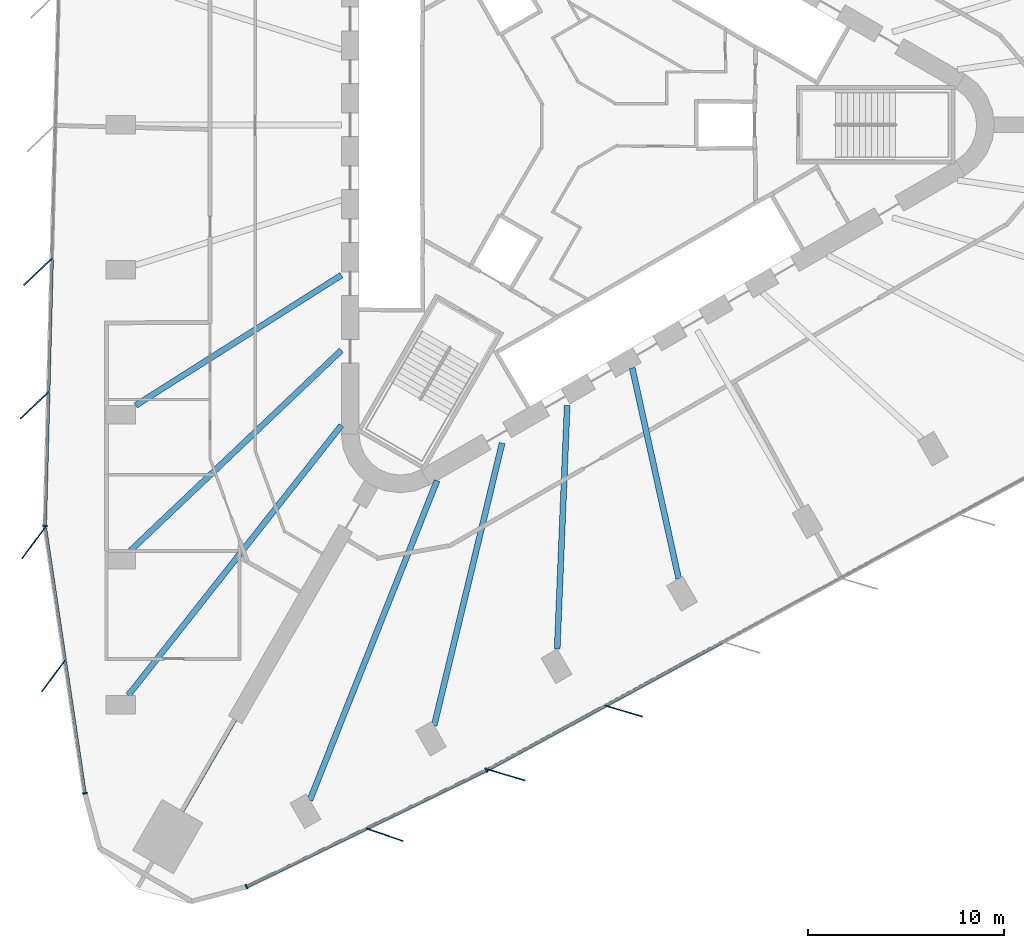
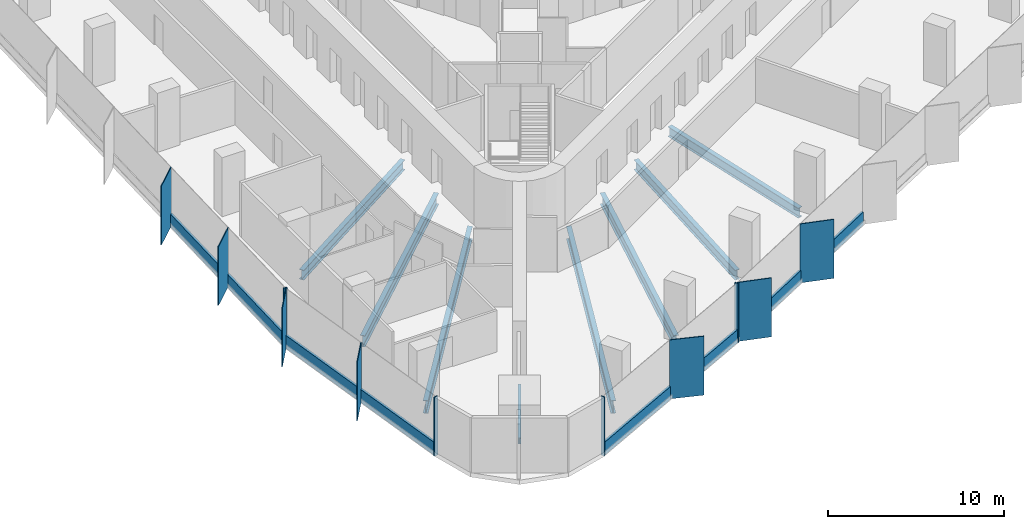
# One storey, part 2 of 13: 19 members, 8 beams, 4 elements without a shape of their own.
"""IFC4 building model written with IfcOpenShell, lengths in metres."""

from ifc_helpers import new_model, si_unit, direction, frame, origin, origin_2d, place, context, subcontext, project, spatial, rectangle, i_section, extrude, material, material_profile, profile_set, type_object, element, aggregate, save


model = new_model("IFC4")

# Units and contexts
model_context = context("Model", 3, precision=1e-05, world=origin(), true_north=direction((0.0, 1.0)))
body_context = subcontext(model_context, "Body", "Model", "MODEL_VIEW")
ifc_project = project(units=[si_unit("LENGTHUNIT", "METRE"), si_unit("AREAUNIT", "SQUARE_METRE"), si_unit("VOLUMEUNIT", "CUBIC_METRE"), si_unit("PLANEANGLEUNIT", "RADIAN"), si_unit("MASSUNIT", "GRAM", prefix="KILO")], contexts=[model_context])

# Site, building, storey
site_placement = place(None, origin())
site = spatial("IfcSite", under=ifc_project, at=site_placement, CompositionType="ELEMENT")
building_placement = place(site_placement, origin())
building = spatial("IfcBuilding", under=site, at=building_placement, Name="Tanit Gate Tower", CompositionType="ELEMENT")
storey_placement = place(building_placement, frame((0.0, 0.0, 61.89990234375)))
storey = spatial("IfcBuildingStorey", under=building, at=storey_placement, Name="L11", CompositionType="ELEMENT", Elevation=61.89990234375)

# Curtain wall, members
ifc_material_1 = material(Name="Aluminium bronze anodised and glass", Category="aluminium")
curtain_wall_type = type_object("IfcCurtainWallType", Name="Curtain wall typical low", PredefinedType="NOTDEFINED", material=ifc_material_1)
curtain_wall_1_placement = place(storey_placement, origin())
curtain_wall_1 = element("IfcCurtainWall", 1, at=curtain_wall_1_placement, inside=storey, type_object=curtain_wall_type, Name="Curtain wall L11 W2", PredefinedType="NOTDEFINED")
ifc_material_2 = material(Name="Aluminium bronze anodised", Category="aluminium")
ifc_material_profile_1 = material_profile(ifc_material_2, rectangle(XDim=2.0, YDim=0.055908203125, at=origin_2d()), Name="56x2000 bronze fin mullion")
ifc_profile_set_1 = profile_set([ifc_material_profile_1], Name="Aluminium bronze anodised")
member_type_1 = type_object("IfcMemberType", Name="FIN MULLION 56x2000 bronze", PredefinedType="MULLION", material=ifc_profile_set_1)
member_1_placement = place(storey_placement, frame((-27.569580078125, -7.487548828125, -0.2998046875), z_axis=(0.0, 0.0, 1.0), x_axis=(0.725200158595, 0.688538110764, 0.0)))
member_1 = element("IfcMember", 2, at=member_1_placement, type_object=member_type_1, Name="Fin mullion L11 W2.5", PredefinedType="MULLION", context=body_context, shape_type="SweptSolid", body=[
    extrude(rectangle(XDim=2.0, YDim=0.055908203125, at=origin_2d()), origin(), (0.0, 0.0, 1.0), 4.099853515625),
])
member_2_placement = place(storey_placement, frame((-27.746337890625, -14.302978515625, -0.2998046875), z_axis=(0.0, 0.0, 1.0), x_axis=(0.725200158595, 0.688538110764, 0.0)))
member_2 = element("IfcMember", 3, at=member_2_placement, type_object=member_type_1, Name="Fin mullion L11 W2.6", PredefinedType="MULLION", context=body_context, shape_type="SweptSolid", body=[
    extrude(rectangle(XDim=2.0, YDim=0.055908203125, at=origin_2d()), origin(), (0.0, 0.0, 1.0), 4.099853515625),
])

curtain_wall_2_placement = place(storey_placement, origin())
curtain_wall_2 = element("IfcCurtainWall", 4, at=curtain_wall_2_placement, inside=storey, type_object=curtain_wall_type, Name="Curtain wall L11 W3", PredefinedType="NOTDEFINED")
member_3_placement = place(storey_placement, frame((-27.790771484375, -21.310546875, -0.2998046875), z_axis=(0.0, 0.0, 1.0), x_axis=(0.594863059212, 0.803827059003, 0.0)))
member_3 = element("IfcMember", 5, at=member_3_placement, type_object=member_type_1, Name="Fin mullion L11 W3.1", PredefinedType="MULLION", context=body_context, shape_type="SweptSolid", body=[
    extrude(rectangle(XDim=2.0, YDim=0.055908203125, at=origin_2d()), origin(), (0.0, 0.0, 1.0), 4.099853515625),
])
member_4_placement = place(storey_placement, frame((-26.777587890625, -28.09326171875, -0.2998046875), z_axis=(0.0, 0.0, 1.0), x_axis=(0.594863059212, 0.803827059003, 0.0)))
member_4 = element("IfcMember", 6, at=member_4_placement, type_object=member_type_1, Name="Fin mullion L11 W3.2", PredefinedType="MULLION", context=body_context, shape_type="SweptSolid", body=[
    extrude(rectangle(XDim=2.0, YDim=0.055908203125, at=origin_2d()), origin(), (0.0, 0.0, 1.0), 4.099853515625),
])

# Curtain wall, member
curtain_wall_3_placement = place(storey_placement, origin())
curtain_wall_3 = element("IfcCurtainWall", 7, at=curtain_wall_3_placement, inside=storey, type_object=curtain_wall_type, Name="Curtain wall L11 SE1", PredefinedType="NOTDEFINED")
member_5_placement = place(storey_placement, frame((-9.89599609375, -36.200927734375, -0.2998046875), z_axis=(0.0, 0.0, 1.0), x_axis=(-0.944974693541, 0.327143437299, 0.0)))
member_5 = element("IfcMember", 8, at=member_5_placement, type_object=member_type_1, Name="Fin mullion L11 SE1.2", PredefinedType="MULLION", context=body_context, shape_type="SweptSolid", body=[
    extrude(rectangle(XDim=2.0, YDim=0.055908203125, at=origin_2d()), origin(), (0.0, 0.0, 1.0), 4.099853515625),
])

# Curtain wall, members
curtain_wall_4_placement = place(storey_placement, origin())
curtain_wall_4 = element("IfcCurtainWall", 9, at=curtain_wall_4_placement, inside=storey, type_object=curtain_wall_type, Name="Curtain wall L11 SE2", PredefinedType="NOTDEFINED")
member_6_placement = place(storey_placement, frame((-3.693359375, -33.150634765625, -0.2998046875), z_axis=(0.0, 0.0, 1.0), x_axis=(-0.958891574692, 0.28377270479, 0.0)))
member_6 = element("IfcMember", 10, at=member_6_placement, type_object=member_type_1, Name="Fin mullion L11 SE2.1", PredefinedType="MULLION", context=body_context, shape_type="SweptSolid", body=[
    extrude(rectangle(XDim=2.0, YDim=0.055908203125, at=origin_2d()), origin(), (0.0, 0.0, 1.0), 4.099853515625),
])
member_7_placement = place(storey_placement, frame((2.29736328125, -29.89599609375, -0.2998046875), z_axis=(0.0, 0.0, 1.0), x_axis=(-0.958891574692, 0.28377270479, 0.0)))
member_7 = element("IfcMember", 11, at=member_7_placement, type_object=member_type_1, Name="Fin mullion L11 SE2.2", PredefinedType="MULLION", context=body_context, shape_type="SweptSolid", body=[
    extrude(rectangle(XDim=2.0, YDim=0.055908203125, at=origin_2d()), origin(), (0.0, 0.0, 1.0), 4.099853515625),
])

# Member
ifc_material_3 = material(Name="Aluminium bronze anodised", Category="aluminium")
ifc_material_profile_2 = material_profile(ifc_material_3, rectangle(XDim=0.239990234375, YDim=0.080078125, at=origin_2d()), Name="80x240 bronze mullion")
ifc_profile_set_2 = profile_set([ifc_material_profile_2], Name="Aluminium bronze anodised")
member_type_2 = type_object("IfcMemberType", Name="Mullion 80x240 typical low", PredefinedType="MULLION", material=ifc_profile_set_2)
member_8_placement = place(storey_placement, frame((-27.21435546875, -20.4453125, -0.2998046875), z_axis=(0.0, 0.0, 1.0), x_axis=(0.999663917086, -0.025923982634, 0.0)))
member_8 = element("IfcMember", 12, at=member_8_placement, type_object=member_type_2, Name="Mullion L11 W2.7", PredefinedType="MULLION", context=body_context, shape_type="SweptSolid", body=[
    extrude(rectangle(XDim=0.239990234375, YDim=0.080078125, at=origin_2d()), origin(), (0.0, 0.0, 1.0), 4.099853515625),
])

member_9_placement = place(storey_placement, frame((-25.182861328125, -34.09033203125, -0.2998046875), z_axis=(0.0, 0.0, 1.0), x_axis=(0.989023267368, 0.147759861276, 0.0)))
member_9 = element("IfcMember", 13, at=member_9_placement, type_object=member_type_2, Name="Mullion L11 W3.3", PredefinedType="MULLION", context=body_context, shape_type="SweptSolid", body=[
    extrude(rectangle(XDim=0.239990234375, YDim=0.080078125, at=origin_2d()), origin(), (0.0, 0.0, 1.0), 4.099853515625),
])

member_10_placement = place(storey_placement, frame((-16.9375, -38.8525390625, -0.2998046875), z_axis=(0.0, 0.0, 1.0), x_axis=(-0.436872670918, 0.899523356787, 0.0)))
member_10 = element("IfcMember", 14, at=member_10_placement, type_object=member_type_2, Name="Mullion L11 SE1.1", PredefinedType="MULLION", context=body_context, shape_type="SweptSolid", body=[
    extrude(rectangle(XDim=0.239990234375, YDim=0.080078125, at=origin_2d()), origin(), (0.0, 0.0, 1.0), 4.099853515625),
])

member_11_placement = place(storey_placement, frame((-4.70166015625, -32.909912109375, -0.2998046875), z_axis=(0.0, 0.0, 1.0), x_axis=(-0.436872670918, 0.899523356787, 0.0)))
member_11 = element("IfcMember", 15, at=member_11_placement, type_object=member_type_2, Name="Mullion L11 SE1.3", PredefinedType="MULLION", context=body_context, shape_type="SweptSolid", body=[
    extrude(rectangle(XDim=0.239990234375, YDim=0.080078125, at=origin_2d()), origin(), (0.0, 0.0, 1.0), 4.099853515625),
])

# Beams
ifc_material_4 = material(Name="Steel S355", Category="steel")
ifc_material_profile_3 = material_profile(ifc_material_4, i_section(OverallWidth=0.300048828125, OverallDepth=0.68994140625, WebThickness=0.014404296875, FlangeThickness=0.027099609375, FilletRadius=0.027099609375, at=origin_2d()), Name="HEA 700")
ifc_profile_set_3 = profile_set([ifc_material_profile_3], Name="Steel S355")
beam_type_1 = type_object("IfcBeamType", Name="RADIAL GIRDER HEA 700 S355", PredefinedType="BEAM", material=ifc_profile_set_3)
for number, where, z_axis, x_axis, name in (
    (16, (-22.594482421875, -14.30810546875, -0.64501953125), (0.844843658907, 0.535013263392, 0.0), (-0.535013263392, 0.844843658907, 0.0), "RADIAL GIRDER"),
    (17, (-1.09375, -26.721435546875, -0.64501953125), (0.040888907348, 0.999163698928, 0.0), (-0.999163698928, 0.040888907348, 0.0), "RADIAL GIRDER"),
):
    element("IfcBeam", number, at=place(storey_placement, frame(where, z_axis=z_axis, x_axis=x_axis)), inside=storey, type_object=beam_type_1, Name=name, PredefinedType="BEAM", context=body_context, shape_type="SweptSolid", body=[
        extrude(i_section(OverallWidth=0.300048828125, OverallDepth=0.68994140625, WebThickness=0.014404296875, FlangeThickness=0.027099609375, FilletRadius=0.027099609375, at=origin_2d()), origin(), (0.0, 0.0, 1.0), 12.41943359375),
    ])
beam_1_placement = place(storey_placement, frame((5.101806640625, -23.144287109375, -0.64501953125), z_axis=(-0.215262511862, 0.976556220085, 0.0), x_axis=(-0.976556220085, -0.215262511862, 0.0)))
element("IfcBeam", 18, at=beam_1_placement, inside=storey, type_object=beam_type_1, Name="RADIAL GIRDER", PredefinedType="BEAM", context=body_context, shape_type="SweptSolid", body=[
    extrude(i_section(OverallWidth=0.300048828125, OverallDepth=0.68994140625, WebThickness=0.014404296875, FlangeThickness=0.027099609375, FilletRadius=0.027099609375, at=origin_2d()), origin(), (0.0, 0.0, 1.0), 11.005859375),
])
ifc_material_5 = material(Name="Steel S355", Category="steel")
ifc_material_profile_4 = material_profile(ifc_material_5, i_section(OverallWidth=0.300048828125, OverallDepth=0.7900390625, WebThickness=0.014892578125, FlangeThickness=0.028076171875, FilletRadius=0.030029296875, at=origin_2d()), Name="HEA 800")
ifc_profile_set_4 = profile_set([ifc_material_profile_4], Name="Steel S355")
beam_type_2 = type_object("IfcBeamType", Name="RADIAL GIRDER HEA 800 S355", PredefinedType="BEAM", material=ifc_profile_set_4)
beam_2_placement = place(storey_placement, frame((-22.844482421875, -21.69921875, -0.69482421875), z_axis=(0.725048389389, 0.688697925831, 0.0), x_axis=(-0.688697925831, 0.725048389389, 0.0)))
element("IfcBeam", 19, at=beam_2_placement, inside=storey, type_object=beam_type_2, Name="RADIAL GIRDER", PredefinedType="BEAM", context=body_context, shape_type="SweptSolid", body=[
    extrude(i_section(OverallWidth=0.300048828125, OverallDepth=0.7900390625, WebThickness=0.014892578125, FlangeThickness=0.028076171875, FilletRadius=0.030029296875, at=origin_2d()), origin(), (0.0, 0.0, 1.0), 14.816162109375),
])
beam_3_placement = place(storey_placement, frame((-7.3701171875, -30.633544921875, -0.69482421875), z_axis=(0.233918851889, 0.972256124039, 0.0), x_axis=(-0.972256124039, 0.233918851889, 0.0)))
element("IfcBeam", 20, at=beam_3_placement, inside=storey, type_object=beam_type_2, Name="RADIAL GIRDER", PredefinedType="BEAM", context=body_context, shape_type="SweptSolid", body=[
    extrude(i_section(OverallWidth=0.300048828125, OverallDepth=0.7900390625, WebThickness=0.014892578125, FlangeThickness=0.028076171875, FilletRadius=0.030029296875, at=origin_2d()), origin(), (0.0, 0.0, 1.0), 14.81640625),
])
ifc_material_6 = material(Name="Steel S355", Category="steel")
ifc_material_profile_5 = material_profile(ifc_material_6, i_section(OverallWidth=0.300048828125, OverallDepth=0.889892578125, WebThickness=0.01611328125, FlangeThickness=0.030029296875, FilletRadius=0.030029296875, at=origin_2d()), Name="HEA 900")
ifc_profile_set_5 = profile_set([ifc_material_profile_5], Name="Steel S355")
beam_type_3 = type_object("IfcBeamType", Name="RADIAL GIRDER HEA 900 S355", PredefinedType="BEAM", material=ifc_profile_set_5)
for number, where, z_axis, x_axis, name in (
    (21, (-22.969482421875, -29.0908203125, -0.744873046875), (0.619692585411, 0.784844634043, 0.0), (-0.784844634043, 0.619692585411, 0.0), "RADIAL GIRDER"),
    (22, (-13.708740234375, -34.4375, -0.744873046875), (0.369856388191, 0.929088936601, 0.0), (-0.929088936601, 0.369856388191, 0.0), "RADIAL GIRDER"),
):
    element("IfcBeam", number, at=place(storey_placement, frame(where, z_axis=z_axis, x_axis=x_axis)), inside=storey, type_object=beam_type_3, Name=name, PredefinedType="BEAM", context=body_context, shape_type="SweptSolid", body=[
        extrude(i_section(OverallWidth=0.300048828125, OverallDepth=0.889892578125, WebThickness=0.01611328125, FlangeThickness=0.030029296875, FilletRadius=0.030029296875, at=origin_2d()), origin(), (0.0, 0.0, 1.0), 17.536865234375),
    ])
ifc_material_7 = material(Name="Steel S355", Category="steel")
ifc_material_profile_6 = material_profile(ifc_material_7, i_section(OverallWidth=0.179931640625, OverallDepth=0.39990234375, WebThickness=0.008544921875, FlangeThickness=0.013427734375, FilletRadius=0.02099609375, at=origin_2d()), Name="IPE 400")
ifc_profile_set_6 = profile_set([ifc_material_profile_6], Name="Steel S355")
beam_type_4 = type_object("IfcBeamType", Name="RADIAL GIRDER IPE 400 S355", PredefinedType="BEAM", material=ifc_profile_set_6)
beam_4_placement = place(storey_placement, frame((-20.206787109375, -34.999267578125, -0.5), z_axis=(0.499994808408, 0.866028401131, 0.0), x_axis=(-0.866028401131, 0.499994808408, 0.0)))
element("IfcBeam", 23, at=beam_4_placement, inside=storey, type_object=beam_type_4, Name="RADIAL GIRDER", PredefinedType="BEAM", context=body_context, shape_type="SweptSolid", body=[
    extrude(i_section(OverallWidth=0.179931640625, OverallDepth=0.39990234375, WebThickness=0.008544921875, FlangeThickness=0.013427734375, FilletRadius=0.02099609375, at=origin_2d()), origin(), (0.0, 0.0, 1.0), 5.3798828125),
])

# Member
ifc_material_8 = material(Name="Aluminium bronze anodised", Category="aluminium")
ifc_material_profile_7 = material_profile(ifc_material_8, rectangle(XDim=0.159912109375, YDim=0.89990234375, at=origin_2d()), Name="160x900 bronze transom")
ifc_profile_set_7 = profile_set([ifc_material_profile_7], Name="Aluminium bronze anodised")
member_type_3 = type_object("IfcMemberType", Name="Transom 160x900 typical low", PredefinedType="USERDEFINED", material=ifc_profile_set_7)
member_12_placement = place(storey_placement, frame((-26.86181640625, -6.8544921875, 0.150146484375), z_axis=(-0.025943636941, -0.999663407204, 0.0), x_axis=(0.999663407204, -0.025943636941, 0.0)))
member_12 = element("IfcMember", 24, at=member_12_placement, type_object=member_type_3, Name="Transom L11 W2.5", ObjectType="TRANSOM", PredefinedType="USERDEFINED", context=body_context, shape_type="SweptSolid", body=[
    extrude(rectangle(XDim=0.159912109375, YDim=0.89990234375, at=origin_2d()), origin(), (0.0, 0.0, 1.0), 6.73779296875),
])

member_13_placement = place(storey_placement, frame((-27.03857421875, -13.669921875, 0.150146484375), z_axis=(-0.025944576703, -0.999663382814, 0.0), x_axis=(0.999663382814, -0.025944576703, 0.0)))
member_13 = element("IfcMember", 25, at=member_13_placement, type_object=member_type_3, Name="Transom L11 W2.6", ObjectType="TRANSOM", PredefinedType="USERDEFINED", context=body_context, shape_type="SweptSolid", body=[
    extrude(rectangle(XDim=0.159912109375, YDim=0.89990234375, at=origin_2d()), origin(), (0.0, 0.0, 1.0), 6.737548828125),
])

aggregate(curtain_wall_1, [member_1, member_2, member_8, member_12, member_13])

member_14_placement = place(storey_placement, frame((-27.20361328125, -20.564453125, 0.150146484375), z_axis=(0.147787369873, -0.989019157199, 0.0), x_axis=(0.989019157199, 0.147787369873, 0.0)))
member_14 = element("IfcMember", 26, at=member_14_placement, type_object=member_type_3, Name="Transom L11 W3.1", ObjectType="TRANSOM", PredefinedType="USERDEFINED", context=body_context, shape_type="SweptSolid", body=[
    extrude(rectangle(XDim=0.159912109375, YDim=0.89990234375, at=origin_2d()), origin(), (0.0, 0.0, 1.0), 6.778076171875),
])

member_15_placement = place(storey_placement, frame((-26.190185546875, -27.34716796875, 0.150146484375), z_axis=(0.14775213695, -0.98902442135, 0.0), x_axis=(0.98902442135, 0.14775213695, 0.0)))
member_15 = element("IfcMember", 27, at=member_15_placement, type_object=member_type_3, Name="Transom L11 W3.2", ObjectType="TRANSOM", PredefinedType="USERDEFINED", context=body_context, shape_type="SweptSolid", body=[
    extrude(rectangle(XDim=0.159912109375, YDim=0.89990234375, at=origin_2d()), origin(), (0.0, 0.0, 1.0), 6.778076171875),
])

aggregate(curtain_wall_2, [member_3, member_4, member_9, member_14, member_15])

member_16_placement = place(storey_placement, frame((-16.901611328125, -38.8349609375, 0.150146484375), z_axis=(0.899532628231, 0.436853580445, 0.0), x_axis=(-0.436853580445, 0.899532628231, 0.0)))
member_16 = element("IfcMember", 28, at=member_16_placement, type_object=member_type_3, Name="Transom L11 SE1.1", ObjectType="TRANSOM", PredefinedType="USERDEFINED", context=body_context, shape_type="SweptSolid", body=[
    extrude(rectangle(XDim=0.159912109375, YDim=0.89990234375, at=origin_2d()), origin(), (0.0, 0.0, 1.0), 6.721435546875),
])

member_17_placement = place(storey_placement, frame((-10.78369140625, -35.86376953125, 0.150146484375), z_axis=(0.899532628231, 0.436853580445, 0.0), x_axis=(-0.436853580445, 0.899532628231, 0.0)))
member_17 = element("IfcMember", 29, at=member_17_placement, type_object=member_type_3, Name="Transom L11 SE1.2", ObjectType="TRANSOM", PredefinedType="USERDEFINED", context=body_context, shape_type="SweptSolid", body=[
    extrude(rectangle(XDim=0.159912109375, YDim=0.89990234375, at=origin_2d()), origin(), (0.0, 0.0, 1.0), 6.721435546875),
])

aggregate(curtain_wall_3, [member_10, member_5, member_11, member_16, member_17])

member_18_placement = place(storey_placement, frame((-4.595458984375, -32.854248046875, 0.150146484375), z_axis=(0.878705798201, 0.47736371899, 0.0), x_axis=(-0.47736371899, 0.878705798201, 0.0)))
member_18 = element("IfcMember", 30, at=member_18_placement, type_object=member_type_3, Name="Transom L11 SE2.1", ObjectType="TRANSOM", PredefinedType="USERDEFINED", context=body_context, shape_type="SweptSolid", body=[
    extrude(rectangle(XDim=0.159912109375, YDim=0.89990234375, at=origin_2d()), origin(), (0.0, 0.0, 1.0), 6.737548828125),
])

member_19_placement = place(storey_placement, frame((1.395263671875, -29.599609375, 0.150146484375), z_axis=(0.878705798201, 0.47736371899, 0.0), x_axis=(-0.47736371899, 0.878705798201, 0.0)))
member_19 = element("IfcMember", 31, at=member_19_placement, type_object=member_type_3, Name="Transom L11 SE2.2", ObjectType="TRANSOM", PredefinedType="USERDEFINED", context=body_context, shape_type="SweptSolid", body=[
    extrude(rectangle(XDim=0.159912109375, YDim=0.89990234375, at=origin_2d()), origin(), (0.0, 0.0, 1.0), 6.737548828125),
])

aggregate(curtain_wall_4, [member_6, member_7, member_18, member_19])

save(model, "model.ifc")
